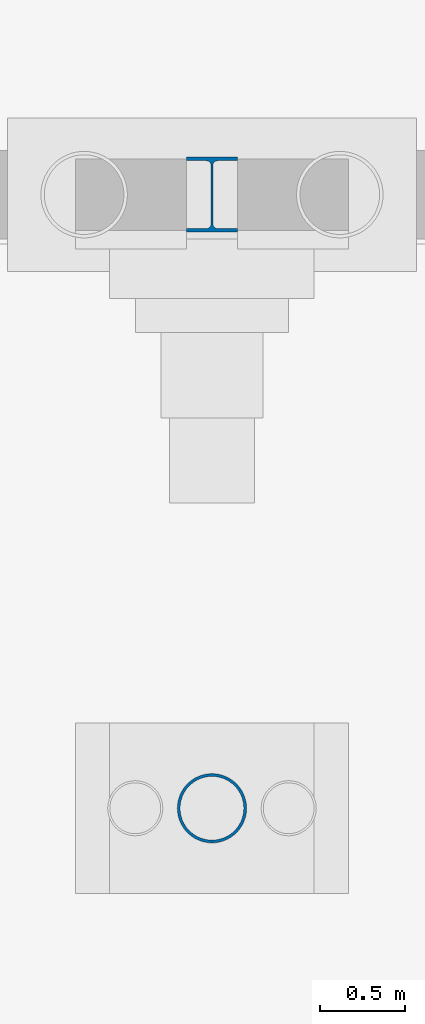
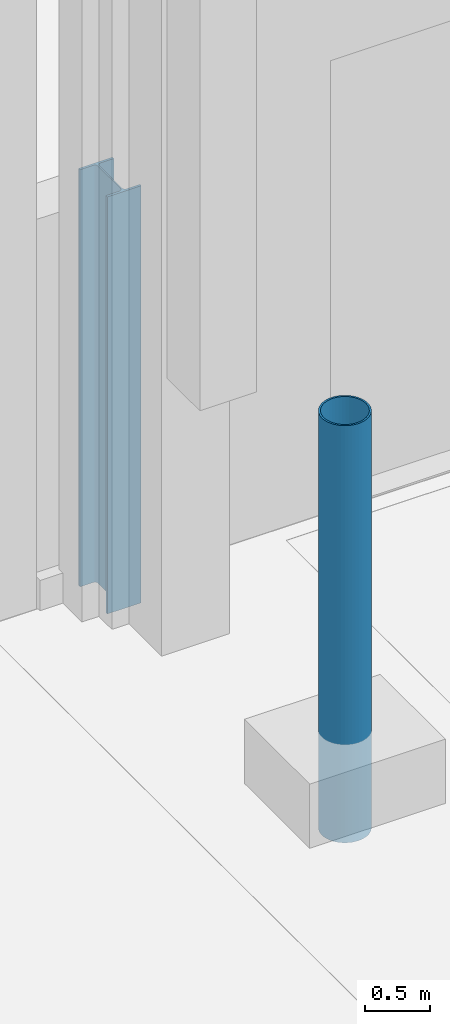
# One storey, part 43 of 148: 2 columns.
"""IFC4 building model written with IfcOpenShell, lengths in metres."""

from ifc_helpers import new_model, si_unit, direction, frame, origin, origin_2d, place, context, subcontext, project, spatial, hollow_circle, i_section, extrude, material, material_profile, profile_set, type_object, element, save


model = new_model("IFC4")

# Units and contexts
model_context = context("Model", 3, precision=1e-05, world=origin(), true_north=direction((0.0, 1.0)))
body_context = subcontext(model_context, "Body", "Model", "MODEL_VIEW")
ifc_project = project(units=[si_unit("LENGTHUNIT", "METRE"), si_unit("AREAUNIT", "SQUARE_METRE"), si_unit("VOLUMEUNIT", "CUBIC_METRE"), si_unit("PLANEANGLEUNIT", "RADIAN"), si_unit("MASSUNIT", "GRAM", prefix="KILO")], contexts=[model_context])

# Site, building, storey
site_placement = place(None, origin())
site = spatial("IfcSite", under=ifc_project, at=site_placement, CompositionType="ELEMENT")
building_placement = place(site_placement, origin())
building = spatial("IfcBuilding", under=site, at=building_placement, Name="Kupolbacken Congress Centre", CompositionType="ELEMENT")
storey_placement = place(building_placement, origin())
storey = spatial("IfcBuildingStorey", under=building, at=storey_placement, Name="L00", CompositionType="ELEMENT", Elevation=0.0)

# Columns
ifc_material_1 = material(Name="Steel S355", Category="steel")
ifc_material_profile_1 = material_profile(ifc_material_1, i_section(OverallWidth=0.300048828125, OverallDepth=0.43994140625, WebThickness=0.011474609375, FlangeThickness=0.02099609375, FilletRadius=0.027099609375, at=origin_2d()), Name="HEA 450")
ifc_profile_set_1 = profile_set([ifc_material_profile_1], Name="Steel S355")
column_type_1 = type_object("IfcColumnType", Name="C07 column HEA 450", PredefinedType="COLUMN", material=ifc_profile_set_1)
column_1_placement = place(storey_placement, frame((122.39990234375, 43.199951171875, -0.300048828125), z_axis=(0.0, 0.0, 1.0), x_axis=(1.0, 0.0, 0.0)))
element("IfcColumn", 1, at=column_1_placement, inside=storey, type_object=column_type_1, Name="S/col/C-H-T3S/L00", PredefinedType="COLUMN", context=body_context, shape_type="SweptSolid", body=[
    extrude(i_section(OverallWidth=0.300048828125, OverallDepth=0.43994140625, WebThickness=0.011474609375, FlangeThickness=0.02099609375, FilletRadius=0.027099609375, at=origin_2d()), origin(), (0.0, 0.0, 1.0), 3.900146484375),
])
ifc_material_2 = material(Name="Steel S355", Category="steel")
ifc_material_profile_2 = material_profile(ifc_material_2, hollow_circle(Radius=0.203125, WallThickness=0.01611328125, at=origin_2d()), Name="CHS 406.4 x 16")
ifc_profile_set_2 = profile_set([ifc_material_profile_2], Name="Steel S355")
column_type_2 = type_object("IfcColumnType", Name="C15 roof mast CHS 406.4 x 16", PredefinedType="COLUMN", material=ifc_profile_set_2)
column_2_placement = place(storey_placement, frame((122.39990234375, 39.60009765625, -0.300048828125), z_axis=(0.0, 0.0, 1.0), x_axis=(1.0, 0.0, 0.0)))
element("IfcColumn", 2, at=column_2_placement, inside=storey, type_object=column_type_2, Name="Roof mast M3S", PredefinedType="COLUMN", context=body_context, shape_type="SweptSolid", body=[
    extrude(hollow_circle(Radius=0.203125, WallThickness=0.01611328125, at=origin_2d()), origin(), (0.0, 0.0, 1.0), 3.900146484375),
])

save(model, "model.ifc")
